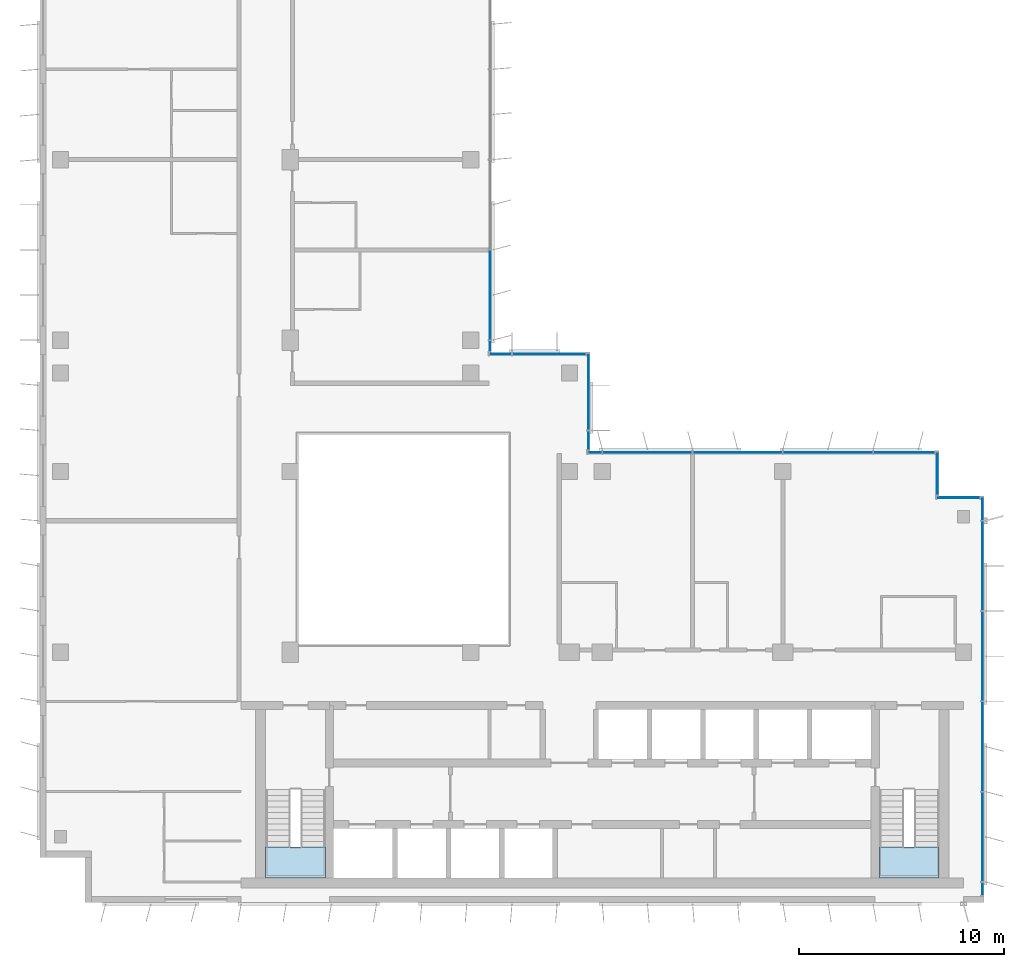
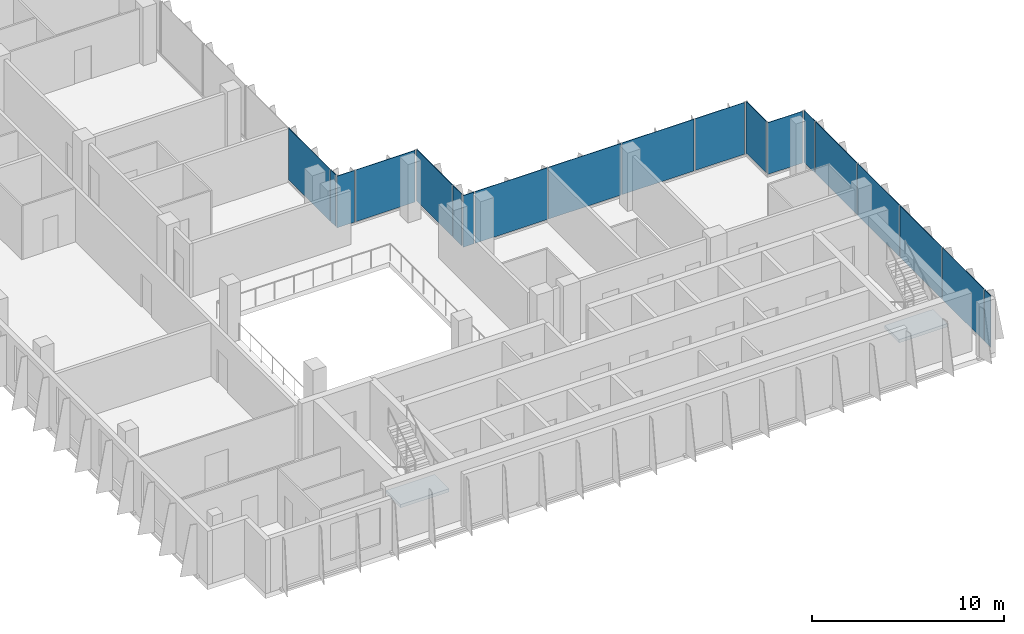
# One storey, part 7 of 15: 19 plates, 2 slabs, 9 elements without a shape of their own.
"""IFC4 building model written with IfcOpenShell, lengths in metres."""

from ifc_helpers import new_model, si_unit, direction, frame, origin, origin_2d, place, context, subcontext, project, spatial, polyline, rectangle, outline, extrude, source, transform, mapped, material, layer, layer_set, type_object, element, aggregate, save


model = new_model("IFC4")

# Units and contexts
model_context = context("Model", 3, precision=1e-05, world=origin(), true_north=direction((0.0, 1.0)))
body_context = subcontext(model_context, "Body", "Model", "MODEL_VIEW")
ifc_project = project(units=[si_unit("LENGTHUNIT", "METRE"), si_unit("AREAUNIT", "SQUARE_METRE"), si_unit("VOLUMEUNIT", "CUBIC_METRE"), si_unit("PLANEANGLEUNIT", "RADIAN"), si_unit("MASSUNIT", "GRAM", prefix="KILO")], contexts=[model_context])

# Site, building, storey
site_placement = place(None, origin())
site = spatial("IfcSite", under=ifc_project, at=site_placement, CompositionType="ELEMENT")
building_placement = place(site_placement, origin())
building = spatial("IfcBuilding", under=site, at=building_placement, Name="Kemantara Hotel Tower", CompositionType="ELEMENT")
storey_placement = place(building_placement, frame((0.0, 0.0, 237.60009765625)))
storey = spatial("IfcBuildingStorey", under=building, at=storey_placement, Name="L59", CompositionType="ELEMENT", Elevation=237.60009765625)

# Stair, slab
ifc_material_1 = material(Name="Concrete fc 40 MPa", Category="concrete")
stair_type = type_object("IfcStairType", Name="Stair 1200 wide 22 risers of 168 x 280 mm", PredefinedType="HALF_TURN_STAIR", material=ifc_material_1)
stair_1_placement = place(storey_placement, origin())
stair_1 = element("IfcStair", 1, at=stair_1_placement, inside=storey, type_object=stair_type, Name="L59 Exit stair ST1", PredefinedType="HALF_TURN_STAIR")
ifc_layer_1 = layer(ifc_material_1, 0.199951171875)
ifc_layer_set_1 = layer_set([ifc_layer_1], Name="Concrete fc 40 MPa")
slab_type = type_object("IfcSlabType", Name="Stair landing 200 mm", PredefinedType="LANDING", material=ifc_layer_set_1)
slab_1_placement = place(storey_placement, frame((0.0, 0.0, 1.64990234375)))
slab_1 = element("IfcSlab", 2, at=slab_1_placement, type_object=slab_type, Name="ST1 landing 1", PredefinedType="LANDING", context=body_context, shape_type="SweptSolid", body=[
    extrude(outline(polyline([(11.0, 2.699951171875), (11.0, 1.199951171875), (13.89990234375, 1.199951171875), (13.89990234375, 2.699951171875), (11.0, 2.699951171875)])), origin(), (0.0, 0.0, 1.0), 0.199951171875),
])
aggregate(stair_1, [slab_1])

stair_2_placement = place(storey_placement, origin())
stair_2 = element("IfcStair", 3, at=stair_2_placement, inside=storey, type_object=stair_type, Name="L59 Exit stair ST2", PredefinedType="HALF_TURN_STAIR")
slab_2_placement = place(storey_placement, frame((0.0, 0.0, 1.64990234375)))
slab_2 = element("IfcSlab", 4, at=slab_2_placement, type_object=slab_type, Name="ST2 landing 1", PredefinedType="LANDING", context=body_context, shape_type="SweptSolid", body=[
    extrude(outline(polyline([(40.89990234375, 2.699951171875), (40.89990234375, 1.199951171875), (43.800048828125, 1.199951171875), (43.800048828125, 2.699951171875), (40.89990234375, 2.699951171875)])), origin(), (0.0, 0.0, 1.0), 0.199951171875),
])
aggregate(stair_2, [slab_2])

# Curtain wall, plates
ifc_material_2 = material(Name="Low-E tinted double insulated glass 36 mm", Category="glass")
curtain_wall_type = type_object("IfcCurtainWallType", Name="TOWER CURTAIN WALL, FRONT FACES", PredefinedType="USERDEFINED", material=ifc_material_2)
curtain_wall_1_placement = place(storey_placement, origin())
curtain_wall_1 = element("IfcCurtainWall", 5, at=curtain_wall_1_placement, inside=storey, type_object=curtain_wall_type, Name="CW4 L59 T4-R09-1", ObjectType="TOWER CURTAIN WALL, FRONT FACES", PredefinedType="USERDEFINED")
ifc_layer_2 = layer(ifc_material_2, 0.035888671875)
ifc_layer_set_2 = layer_set([ifc_layer_2], Name="Low-E tinted double insulated glass 36 mm")
plate_type = type_object("IfcPlateType", Name="TOWER CURTAIN WALL, FRONT FACES PANEL", PredefinedType="CURTAIN_PANEL", material=ifc_layer_set_2)
shared_shape_1 = source(origin(), body_context, "Body", "SweptSolid", [
    extrude(rectangle(XDim=4.340087890625, YDim=0.035888671875, at=origin_2d()), origin(), (0.0, 0.0, 1.0), 3.280029296875),
])
plate_1_placement = place(storey_placement, frame((45.925048828125, 3.199951171875, 0.1201171875), z_axis=(0.0, 0.0, 1.0), x_axis=(0.0, 1.0, 0.0)))
plate_1 = element("IfcPlate", 6, at=plate_1_placement, type_object=plate_type, Name="CW4 glass panel T4-R09-1.2", PredefinedType="CURTAIN_PANEL", context=body_context, shape_type="MappedRepresentation", body=[
    mapped(shared_shape_1, transform((0.0, 0.0, 0.0))),
])
plate_2_placement = place(storey_placement, frame((45.925048828125, 7.60009765625, 0.1201171875), z_axis=(0.0, 0.0, 1.0), x_axis=(0.0, 1.0, 0.0)))
plate_2 = element("IfcPlate", 7, at=plate_2_placement, type_object=plate_type, Name="CW4 glass panel T4-R09-1.3", PredefinedType="CURTAIN_PANEL", context=body_context, shape_type="MappedRepresentation", body=[
    mapped(shared_shape_1, transform((0.0, 0.0, 0.0))),
])
plate_3_placement = place(storey_placement, frame((45.925048828125, 12.0, 0.1201171875), z_axis=(0.0, 0.0, 1.0), x_axis=(0.0, 1.0, 0.0)))
plate_3 = element("IfcPlate", 8, at=plate_3_placement, type_object=plate_type, Name="CW4 glass panel T4-R09-1.4", PredefinedType="CURTAIN_PANEL", context=body_context, shape_type="MappedRepresentation", body=[
    mapped(shared_shape_1, transform((0.0, 0.0, 0.0))),
])
plate_4_placement = place(storey_placement, frame((45.925048828125, 16.39990234375, 0.1201171875), z_axis=(0.0, 0.0, 1.0), x_axis=(0.0, 1.0, 0.0)))
plate_4 = element("IfcPlate", 9, at=plate_4_placement, type_object=plate_type, Name="CW4 glass panel T4-R09-1.5", PredefinedType="CURTAIN_PANEL", context=body_context, shape_type="MappedRepresentation", body=[
    mapped(shared_shape_1, transform((0.0, 0.0, 0.0))),
])

curtain_wall_2_placement = place(storey_placement, origin())
curtain_wall_2 = element("IfcCurtainWall", 10, at=curtain_wall_2_placement, inside=storey, type_object=curtain_wall_type, Name="CW4 L59 T4-R12-1", ObjectType="TOWER CURTAIN WALL, FRONT FACES", PredefinedType="USERDEFINED")
plate_5_placement = place(storey_placement, frame((38.39990234375, 21.925048828125, 0.1201171875), z_axis=(0.0, 0.0, 1.0), x_axis=(-1.0, 0.0, 0.0)))
plate_5 = element("IfcPlate", 11, at=plate_5_placement, type_object=plate_type, Name="CW4 glass panel T4-R12-1.2", PredefinedType="CURTAIN_PANEL", context=body_context, shape_type="MappedRepresentation", body=[
    mapped(shared_shape_1, transform((0.0, 0.0, 0.0))),
])
plate_6_placement = place(storey_placement, frame((34.0, 21.925048828125, 0.1201171875), z_axis=(0.0, 0.0, 1.0), x_axis=(-1.0, 0.0, 0.0)))
plate_6 = element("IfcPlate", 12, at=plate_6_placement, type_object=plate_type, Name="CW4 glass panel T4-R12-1.3", PredefinedType="CURTAIN_PANEL", context=body_context, shape_type="MappedRepresentation", body=[
    mapped(shared_shape_1, transform((0.0, 0.0, 0.0))),
])
plate_7_placement = place(storey_placement, frame((29.60009765625, 21.925048828125, 0.1201171875), z_axis=(0.0, 0.0, 1.0), x_axis=(-1.0, 0.0, 0.0)))
plate_7 = element("IfcPlate", 13, at=plate_7_placement, type_object=plate_type, Name="CW4 glass panel T4-R12-1.4", PredefinedType="CURTAIN_PANEL", context=body_context, shape_type="MappedRepresentation", body=[
    mapped(shared_shape_1, transform((0.0, 0.0, 0.0))),
])

# Curtain wall, plate
curtain_wall_3_placement = place(storey_placement, origin())
curtain_wall_3 = element("IfcCurtainWall", 14, at=curtain_wall_3_placement, inside=storey, type_object=curtain_wall_type, Name="CW4 L59 T4-R15-1", ObjectType="TOWER CURTAIN WALL, FRONT FACES", PredefinedType="USERDEFINED")
plate_8_placement = place(storey_placement, frame((21.925048828125, 29.60009765625, 0.1201171875), z_axis=(0.0, 0.0, 1.0), x_axis=(0.0, 1.0, 0.0)))
plate_8 = element("IfcPlate", 15, at=plate_8_placement, type_object=plate_type, Name="CW4 glass panel T4-R15-1.2", PredefinedType="CURTAIN_PANEL", context=body_context, shape_type="MappedRepresentation", body=[
    mapped(shared_shape_1, transform((0.0, 0.0, 0.0))),
])

curtain_wall_4_placement = place(storey_placement, origin())
curtain_wall_4 = element("IfcCurtainWall", 16, at=curtain_wall_4_placement, inside=storey, type_object=curtain_wall_type, Name="CW4 L59 T4-R10-1", ObjectType="TOWER CURTAIN WALL, FRONT FACES", PredefinedType="USERDEFINED")
shared_shape_2 = source(origin(), body_context, "Body", "SweptSolid", [
    extrude(rectangle(XDim=2.080078125, YDim=0.035888671875, at=origin_2d()), origin(), (0.0, 0.0, 1.0), 3.280029296875),
])
plate_9_placement = place(storey_placement, frame((44.75, 19.72509765625, 0.1201171875), z_axis=(0.0, 0.0, 1.0), x_axis=(-1.0, 0.0, 0.0)))
plate_9 = element("IfcPlate", 17, at=plate_9_placement, type_object=plate_type, Name="CW4 glass panel T4-R10-1.1", PredefinedType="CURTAIN_PANEL", context=body_context, shape_type="MappedRepresentation", body=[
    mapped(shared_shape_2, transform((0.0, 0.0, 0.0))),
])
aggregate(curtain_wall_4, [plate_9])

curtain_wall_5_placement = place(storey_placement, origin())
curtain_wall_5 = element("IfcCurtainWall", 18, at=curtain_wall_5_placement, inside=storey, type_object=curtain_wall_type, Name="CW4 L59 T4-R11-1", ObjectType="TOWER CURTAIN WALL, FRONT FACES", PredefinedType="USERDEFINED")
plate_10_placement = place(storey_placement, frame((43.72509765625, 20.89990234375, 0.1201171875), z_axis=(0.0, 0.0, 1.0), x_axis=(0.0, 1.0, 0.0)))
plate_10 = element("IfcPlate", 19, at=plate_10_placement, type_object=plate_type, Name="CW4 glass panel T4-R11-1.1", PredefinedType="CURTAIN_PANEL", context=body_context, shape_type="MappedRepresentation", body=[
    mapped(shared_shape_2, transform((0.0, 0.0, 0.0))),
])
aggregate(curtain_wall_5, [plate_10])

# Plate
shared_shape_3 = source(origin(), body_context, "Body", "SweptSolid", [
    extrude(rectangle(XDim=2.9599609375, YDim=0.035888671875, at=origin_2d()), origin(), (0.0, 0.0, 1.0), 3.280029296875),
])
plate_11_placement = place(storey_placement, frame((42.110107421875, 21.925048828125, 0.1201171875), z_axis=(0.0, 0.0, 1.0), x_axis=(-1.0, 0.0, 0.0)))
plate_11 = element("IfcPlate", 20, at=plate_11_placement, type_object=plate_type, Name="CW4 glass panel T4-R12-1.1", PredefinedType="CURTAIN_PANEL", context=body_context, shape_type="MappedRepresentation", body=[
    mapped(shared_shape_3, transform((0.0, 0.0, 0.0))),
])

shared_shape_4 = source(origin(), body_context, "Body", "SweptSolid", [
    extrude(rectangle(XDim=0.659912109375, YDim=0.035888671875, at=origin_2d()), origin(), (0.0, 0.0, 1.0), 3.280029296875),
])
plate_12_placement = place(storey_placement, frame((27.0400390625, 21.925048828125, 0.1201171875), z_axis=(0.0, 0.0, 1.0), x_axis=(-1.0, 0.0, 0.0)))
plate_12 = element("IfcPlate", 21, at=plate_12_placement, type_object=plate_type, Name="CW4 glass panel T4-R12-1.5", PredefinedType="CURTAIN_PANEL", context=body_context, shape_type="MappedRepresentation", body=[
    mapped(shared_shape_4, transform((0.0, 0.0, 0.0))),
])

aggregate(curtain_wall_2, [plate_11, plate_5, plate_6, plate_7, plate_12])

shared_shape_5 = source(origin(), body_context, "Body", "SweptSolid", [
    extrude(rectangle(XDim=0.510009765625, YDim=0.035888671875, at=origin_2d()), origin(), (0.0, 0.0, 1.0), 3.280029296875),
])
plate_13_placement = place(storey_placement, frame((21.925048828125, 27.114990234375, 0.1201171875), z_axis=(0.0, 0.0, 1.0), x_axis=(0.0, 1.0, 0.0)))
plate_13 = element("IfcPlate", 22, at=plate_13_placement, type_object=plate_type, Name="CW4 glass panel T4-R15-1.1", PredefinedType="CURTAIN_PANEL", context=body_context, shape_type="MappedRepresentation", body=[
    mapped(shared_shape_5, transform((0.0, 0.0, 0.0))),
])

aggregate(curtain_wall_3, [plate_13, plate_8])

# Curtain wall, plate
curtain_wall_6_placement = place(storey_placement, origin())
curtain_wall_6 = element("IfcCurtainWall", 23, at=curtain_wall_6_placement, inside=storey, type_object=curtain_wall_type, Name="CW4 L59 T4-R13-1", ObjectType="TOWER CURTAIN WALL, FRONT FACES", PredefinedType="USERDEFINED")
shared_shape_6 = source(origin(), body_context, "Body", "SweptSolid", [
    extrude(rectangle(XDim=0.909912109375, YDim=0.035888671875, at=origin_2d()), origin(), (0.0, 0.0, 1.0), 3.280029296875),
])
plate_14_placement = place(storey_placement, frame((26.72509765625, 22.514892578125, 0.1201171875), z_axis=(0.0, 0.0, 1.0), x_axis=(0.0, 1.0, 0.0)))
plate_14 = element("IfcPlate", 24, at=plate_14_placement, type_object=plate_type, Name="CW4 glass panel T4-R13-1.1", PredefinedType="CURTAIN_PANEL", context=body_context, shape_type="MappedRepresentation", body=[
    mapped(shared_shape_6, transform((0.0, 0.0, 0.0))),
])

# Plate
shared_shape_7 = source(origin(), body_context, "Body", "SweptSolid", [
    extrude(rectangle(XDim=1.110107421875, YDim=0.035888671875, at=origin_2d()), origin(), (0.0, 0.0, 1.0), 3.280029296875),
])
plate_15_placement = place(storey_placement, frame((45.925048828125, 19.18505859375, 0.1201171875), z_axis=(0.0, 0.0, 1.0), x_axis=(0.0, 1.0, 0.0)))
plate_15 = element("IfcPlate", 25, at=plate_15_placement, type_object=plate_type, Name="CW4 glass panel T4-R09-1.6", PredefinedType="CURTAIN_PANEL", context=body_context, shape_type="MappedRepresentation", body=[
    mapped(shared_shape_7, transform((0.0, 0.0, 0.0))),
])

shared_shape_8 = source(origin(), body_context, "Body", "SweptSolid", [
    extrude(rectangle(XDim=3.7099609375, YDim=0.035888671875, at=origin_2d()), origin(), (0.0, 0.0, 1.0), 3.280029296875),
])
plate_16_placement = place(storey_placement, frame((26.72509765625, 24.885009765625, 0.1201171875), z_axis=(0.0, 0.0, 1.0), x_axis=(0.0, 1.0, 0.0)))
plate_16 = element("IfcPlate", 26, at=plate_16_placement, type_object=plate_type, Name="CW4 glass panel T4-R13-1.2", PredefinedType="CURTAIN_PANEL", context=body_context, shape_type="MappedRepresentation", body=[
    mapped(shared_shape_8, transform((0.0, 0.0, 0.0))),
])

aggregate(curtain_wall_6, [plate_14, plate_16])

# Curtain wall, plates
curtain_wall_7_placement = place(storey_placement, origin())
curtain_wall_7 = element("IfcCurtainWall", 27, at=curtain_wall_7_placement, inside=storey, type_object=curtain_wall_type, Name="CW4 L59 T4-R14-1", ObjectType="TOWER CURTAIN WALL, FRONT FACES", PredefinedType="USERDEFINED")
shared_shape_9 = source(origin(), body_context, "Body", "SweptSolid", [
    extrude(rectangle(XDim=3.56005859375, YDim=0.035888671875, at=origin_2d()), origin(), (0.0, 0.0, 1.0), 3.280029296875),
])
plate_17_placement = place(storey_placement, frame((24.81005859375, 26.72509765625, 0.1201171875), z_axis=(0.0, 0.0, 1.0), x_axis=(-1.0, 0.0, 0.0)))
plate_17 = element("IfcPlate", 28, at=plate_17_placement, type_object=plate_type, Name="CW4 glass panel T4-R14-1.1", PredefinedType="CURTAIN_PANEL", context=body_context, shape_type="MappedRepresentation", body=[
    mapped(shared_shape_9, transform((0.0, 0.0, 0.0))),
])
shared_shape_10 = source(origin(), body_context, "Body", "SweptSolid", [
    extrude(rectangle(XDim=1.06005859375, YDim=0.035888671875, at=origin_2d()), origin(), (0.0, 0.0, 1.0), 3.280029296875),
])
plate_18_placement = place(storey_placement, frame((22.43994140625, 26.72509765625, 0.1201171875), z_axis=(0.0, 0.0, 1.0), x_axis=(-1.0, 0.0, 0.0)))
plate_18 = element("IfcPlate", 29, at=plate_18_placement, type_object=plate_type, Name="CW4 glass panel T4-R14-1.2", PredefinedType="CURTAIN_PANEL", context=body_context, shape_type="MappedRepresentation", body=[
    mapped(shared_shape_10, transform((0.0, 0.0, 0.0))),
])
aggregate(curtain_wall_7, [plate_17, plate_18])

# Plate
shared_shape_11 = source(origin(), body_context, "Body", "SweptSolid", [
    extrude(rectangle(XDim=0.610107421875, YDim=0.035888671875, at=origin_2d()), origin(), (0.0, 0.0, 1.0), 3.280029296875),
])
plate_19_placement = place(storey_placement, frame((45.925048828125, 0.6650390625, 0.1201171875), z_axis=(0.0, 0.0, 1.0), x_axis=(0.0, 1.0, 0.0)))
plate_19 = element("IfcPlate", 30, at=plate_19_placement, type_object=plate_type, Name="CW4 glass panel T4-R09-1.1", PredefinedType="CURTAIN_PANEL", context=body_context, shape_type="MappedRepresentation", body=[
    mapped(shared_shape_11, transform((0.0, 0.0, 0.0))),
])

aggregate(curtain_wall_1, [plate_19, plate_1, plate_2, plate_3, plate_4, plate_15])

save(model, "model.ifc")
